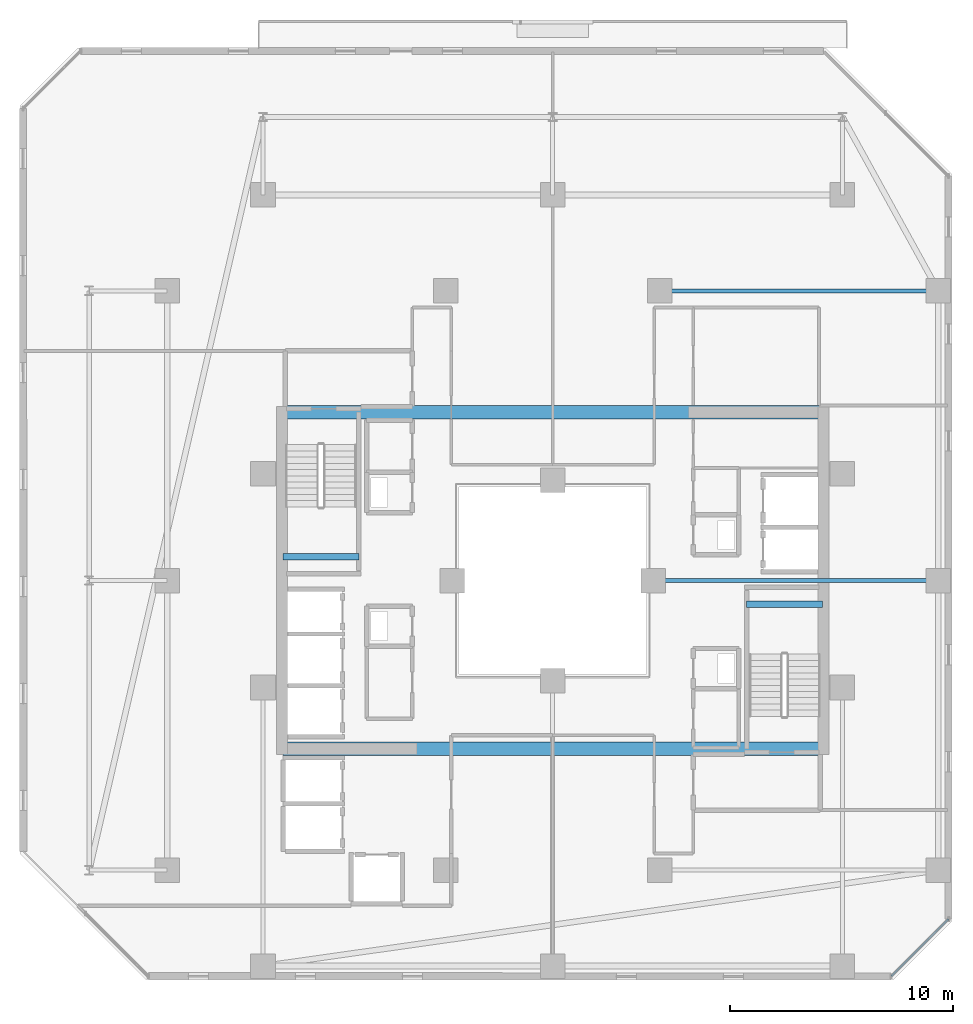
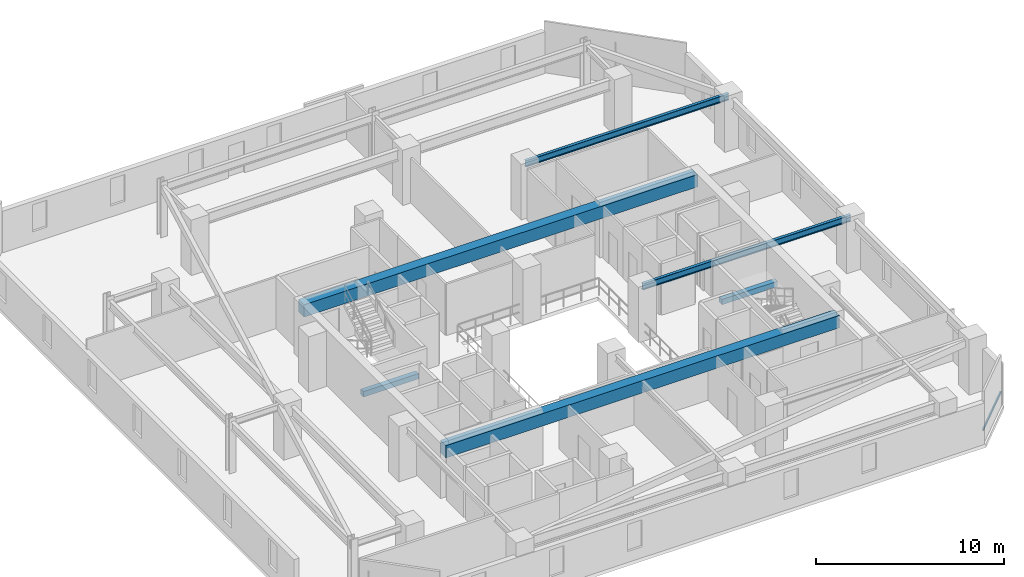
# One storey, part 14 of 32: 6 beams, 1 member, 1 element without a shape of its own.
"""IFC4 building model written with IfcOpenShell, lengths in metres."""

from ifc_helpers import new_model, si_unit, direction, frame, origin, origin_2d, place, context, subcontext, project, spatial, rectangle, hollow_rectangle, i_section, extrude, material, material_profile, profile_set, type_object, element, aggregate, save


model = new_model("IFC4")

# Units and contexts
model_context = context("Model", 3, precision=1e-05, world=origin(), true_north=direction((0.0, 1.0)))
body_context = subcontext(model_context, "Body", "Model", "MODEL_VIEW")
ifc_project = project(units=[si_unit("LENGTHUNIT", "METRE"), si_unit("AREAUNIT", "SQUARE_METRE"), si_unit("VOLUMEUNIT", "CUBIC_METRE"), si_unit("PLANEANGLEUNIT", "RADIAN"), si_unit("MASSUNIT", "GRAM", prefix="KILO")], contexts=[model_context])

# Site, building, storey
site_placement = place(None, origin())
site = spatial("IfcSite", under=ifc_project, at=site_placement, CompositionType="ELEMENT")
building_placement = place(site_placement, origin())
building = spatial("IfcBuilding", under=site, at=building_placement, Name="Thornwick Lancets Civic Towers", CompositionType="ELEMENT")
storey_placement = place(building_placement, frame((0.0, 0.0, 182.10009765625)))
storey = spatial("IfcBuildingStorey", under=building, at=storey_placement, Name="L48", CompositionType="ELEMENT", Elevation=182.10009765625)

# Beams
ifc_material_1 = material(Name="Concrete C60/75", Category="concrete")
ifc_material_profile_1 = material_profile(ifc_material_1, rectangle(XDim=0.60009765625, YDim=0.800048828125, at=origin_2d()), Name="RC 600x800")
ifc_profile_set_1 = profile_set([ifc_material_profile_1], Name="Concrete C60/75")
beam_type_1 = type_object("IfcBeamType", Name="BM_COUP_RC800", PredefinedType="BEAM", material=ifc_profile_set_1)
for number, where, z_axis, x_axis, name in (
    (1, (76.39990234375, 34.550048828125, 2.9599609375), (1.0, 0.0, 0.0), (0.0, 1.0, 0.0), "CB-L48-B1"),
    (2, (76.39990234375, 19.449951171875, 2.9599609375), (1.0, 0.0, 0.0), (0.0, 1.0, 0.0), "CB-L48-B2"),
):
    element("IfcBeam", number, at=place(storey_placement, frame(where, z_axis=z_axis, x_axis=x_axis)), inside=storey, type_object=beam_type_1, Name=name, PredefinedType="BEAM", context=body_context, shape_type="SweptSolid", body=[
        extrude(rectangle(XDim=0.60009765625, YDim=0.800048828125, at=origin_2d()), origin(), (0.0, 0.0, 1.0), 24.2001953125),
    ])
ifc_material_2 = material(Name="Steel S355JR", Category="steel")
ifc_material_profile_2 = material_profile(ifc_material_2, i_section(OverallWidth=0.179443359375, OverallDepth=0.412841796875, WebThickness=0.009521484375, FlangeThickness=0.01611328125, FilletRadius=0.01025390625, at=origin_2d()), Name="UKB 406x178x74")
ifc_profile_set_2 = profile_set([ifc_material_profile_2], Name="Steel S355JR")
beam_type_2 = type_object("IfcBeamType", Name="BM_JOIST_406_74", PredefinedType="JOIST", material=ifc_profile_set_2)
beam_1_placement = place(storey_placement, frame((93.0, 27.0, 3.153564453125), z_axis=(1.0, 0.0, 0.0), x_axis=(0.0, 1.0, 0.0)))
element("IfcBeam", 3, at=beam_1_placement, inside=storey, type_object=beam_type_2, Name="BM-RADIN-L48-B02", PredefinedType="JOIST", context=body_context, shape_type="SweptSolid", body=[
    extrude(i_section(OverallWidth=0.179443359375, OverallDepth=0.412841796875, WebThickness=0.009521484375, FlangeThickness=0.01611328125, FilletRadius=0.01025390625, at=origin_2d()), origin(), (0.0, 0.0, 1.0), 12.800048828125),
])
beam_2_placement = place(storey_placement, frame((93.300048828125, 40.0, 3.153564453125), z_axis=(1.0, 0.0, 0.0), x_axis=(0.0, 1.0, 0.0)))
element("IfcBeam", 4, at=beam_2_placement, inside=storey, type_object=beam_type_2, Name="BM-RADIN-L48-B03", PredefinedType="JOIST", context=body_context, shape_type="SweptSolid", body=[
    extrude(i_section(OverallWidth=0.179443359375, OverallDepth=0.412841796875, WebThickness=0.009521484375, FlangeThickness=0.01611328125, FilletRadius=0.01025390625, at=origin_2d()), origin(), (0.0, 0.0, 1.0), 12.5),
])
ifc_material_3 = material(Name="Concrete C40/50", Category="concrete")
ifc_material_profile_3 = material_profile(ifc_material_3, rectangle(XDim=0.300048828125, YDim=0.35009765625, at=origin_2d()), Name="RC 300x350")
ifc_profile_set_3 = profile_set([ifc_material_profile_3], Name="Concrete C40/50")
beam_type_3 = type_object("IfcBeamType", Name="BM_STAIR_LDG", PredefinedType="BEAM", material=ifc_profile_set_3)
for number, where, z_axis, x_axis, name in (
    (5, (100.60009765625, 25.93505859375, 1.3779296875), (-1.0, 0.0, 0.0), (0.0, -1.0, 0.0), "L48 ST-B1 Landing Support Beam 1"),
    (6, (76.39990234375, 28.06494140625, 1.3779296875), (1.0, 0.0, 0.0), (0.0, 1.0, 0.0), "L48 ST-B2 Landing Support Beam 1"),
):
    element("IfcBeam", number, at=place(storey_placement, frame(where, z_axis=z_axis, x_axis=x_axis)), inside=storey, type_object=beam_type_3, Name=name, PredefinedType="BEAM", context=body_context, shape_type="SweptSolid", body=[
        extrude(rectangle(XDim=0.300048828125, YDim=0.35009765625, at=origin_2d()), origin(), (0.0, 0.0, 1.0), 3.400146484375),
    ])

# Curtain wall, member
ifc_material_4 = material(Name="Mid-zone chamfered-corner unitised glass curtain wall", Category="glass")
curtain_wall_type = type_object("IfcCurtainWallType", Name="CW_SYS_04", PredefinedType="NOTDEFINED", material=ifc_material_4)
curtain_wall_placement = place(storey_placement, origin())
curtain_wall = element("IfcCurtainWall", 7, at=curtain_wall_placement, inside=storey, type_object=curtain_wall_type, Name="L48 Curtain Wall CW-L48-B-E1", PredefinedType="NOTDEFINED")
ifc_material_5 = material(Name="Thermally broken bronze aluminium S355", Category="steel")
ifc_material_profile_4 = material_profile(ifc_material_5, hollow_rectangle(XDim=0.074951171875, YDim=0.14990234375, WallThickness=0.0048828125, at=origin_2d()), Name="RHS 150x75x5")
ifc_profile_set_4 = profile_set([ifc_material_profile_4], Name="Thermally broken bronze aluminium S355")
member_type = type_object("IfcMemberType", Name="CW_TRN_150", PredefinedType="USERDEFINED", material=ifc_profile_set_4)
member_placement = place(storey_placement, frame((103.695556640625, 9.24951171875, 0.849853515625), z_axis=(0.707106781187, 0.707106781187, 0.0), x_axis=(-0.707106781187, 0.707106781187, 0.0)))
member = element("IfcMember", 8, at=member_placement, type_object=member_type, Name="CW-L48-B-E1 Transom 0", ObjectType="TRANSOM", PredefinedType="USERDEFINED", context=body_context, shape_type="SweptSolid", body=[
    extrude(hollow_rectangle(XDim=0.074951171875, YDim=0.14990234375, WallThickness=0.0048828125, at=origin_2d()), origin(), (0.0, 0.0, 1.0), 3.61328125),
])
aggregate(curtain_wall, [member])

save(model, "model.ifc")
